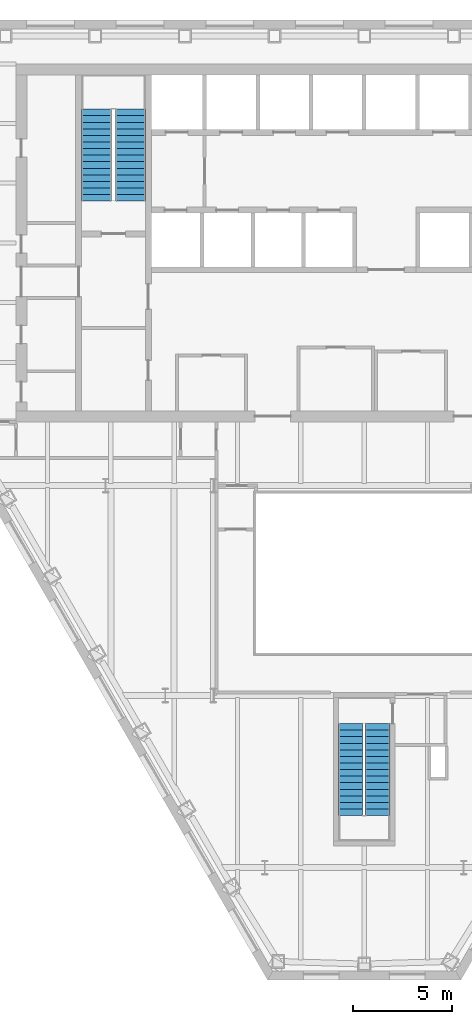
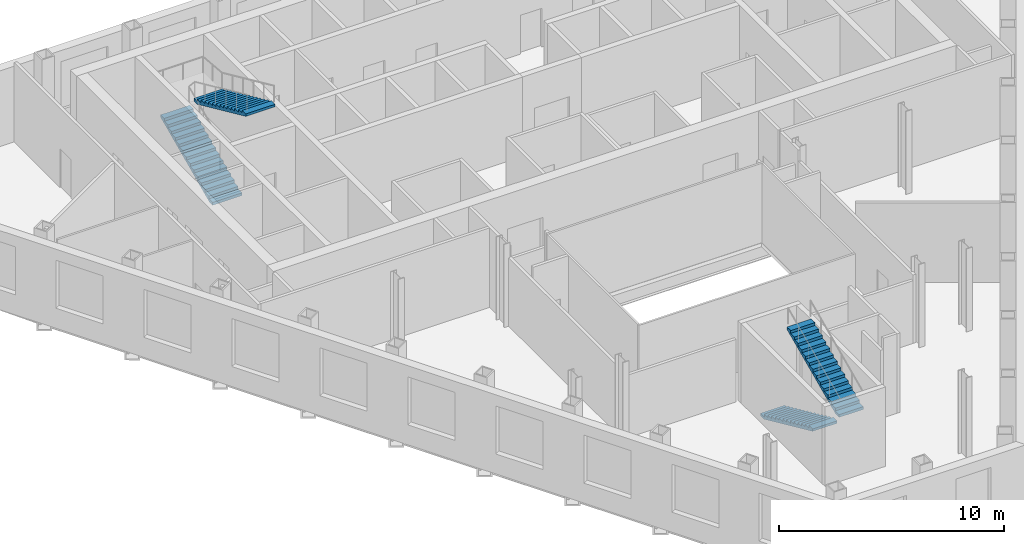
# One storey, part 10 of 12: 4 stair flights, 2 elements without a shape of their own.
"""IFC4 building model written with IfcOpenShell, lengths in metres."""

from ifc_helpers import new_model, si_unit, direction, frame, origin, place, context, subcontext, project, spatial, polygons, material, type_object, element, aggregate, save


model = new_model("IFC4")

# Units and contexts
model_context = context("Model", 3, precision=1e-05, world=origin(), true_north=direction((0.0, 1.0)))
body_context = subcontext(model_context, "Body", "Model", "MODEL_VIEW")
ifc_project = project(units=[si_unit("LENGTHUNIT", "METRE"), si_unit("AREAUNIT", "SQUARE_METRE"), si_unit("VOLUMEUNIT", "CUBIC_METRE"), si_unit("PLANEANGLEUNIT", "RADIAN"), si_unit("MASSUNIT", "GRAM", prefix="KILO")], contexts=[model_context])

# Site, building, storey
site_placement = place(None, origin())
site = spatial("IfcSite", under=ifc_project, at=site_placement, CompositionType="ELEMENT")
building_placement = place(site_placement, origin())
building = spatial("IfcBuilding", under=site, at=building_placement, Name="Njiva Tower", CompositionType="ELEMENT")
storey_placement = place(building_placement, frame((0.0, 0.0, 111.3)))
storey = spatial("IfcBuildingStorey", under=building, at=storey_placement, Name="L23", CompositionType="ELEMENT", Elevation=111.3)

# Stair, stair flights
ifc_material = material(Name="Concrete C40/50", Category="concrete")
stair_type_1 = type_object("IfcStairType", Name="ST1 Exit stair 1250", PredefinedType="HALF_TURN_STAIR", material=ifc_material)
stair_1_placement = place(storey_placement, origin())
stair_1 = element("IfcStair", 1, at=stair_1_placement, inside=storey, type_object=stair_type_1, Name="Stair C", PredefinedType="HALF_TURN_STAIR")
stair_flight_type_1 = type_object("IfcStairFlightType", Name="FL1 Stair flight 1250", PredefinedType="STRAIGHT", material=ifc_material)
stair_flight_1_placement = place(storey_placement, frame((-0.675, -15.16, 0.0), z_axis=(0.0, 0.0, 1.0), x_axis=(0.0, -1.0, 0.0)))
stair_flight_1 = element("IfcStairFlight", 2, at=stair_flight_1_placement, type_object=stair_flight_type_1, Name="ST-C flight 1", NumberOfRisers=15, NumberOfTreads=14, PredefinedType="STRAIGHT", RiserHeight=0.15, TreadLength=0.33, context=body_context, shape_type="Tessellation", body=[
    polygons([(0.0, 0.625, 0.0), (0.0, 0.3125, 0.0), (0.0, 0.0, 0.0), (0.0, -0.3125, 0.0), (0.0, -0.625, 0.0), (0.0, 0.625, 0.15), (0.0, 0.3125, 0.15), (0.0, 0.0, 0.15), (0.0, -0.3125, 0.15), (0.0, -0.625, 0.15), (0.33, 0.625, 0.15), (0.33, 0.3125, 0.15), (0.33, 0.0, 0.15), (0.33, -0.3125, 0.15), (0.33, -0.625, 0.15), (0.33, 0.625, 0.3), (0.33, 0.3125, 0.3), (0.33, 0.0, 0.3), (0.33, -0.3125, 0.3), (0.33, -0.625, 0.3), (0.66, 0.625, 0.3), (0.66, 0.3125, 0.3), (0.66, 0.0, 0.3), (0.66, -0.3125, 0.3), (0.66, -0.625, 0.3), (0.66, 0.625, 0.45), (0.66, 0.3125, 0.45), (0.66, 0.0, 0.45), (0.66, -0.3125, 0.45), (0.66, -0.625, 0.45), (0.99, 0.625, 0.45), (0.99, 0.3125, 0.45), (0.99, 0.0, 0.45), (0.99, -0.3125, 0.45), (0.99, -0.625, 0.45), (0.99, 0.625, 0.6), (0.99, 0.3125, 0.6), (0.99, 0.0, 0.6), (0.99, -0.3125, 0.6), (0.99, -0.625, 0.6), (1.32, 0.625, 0.6), (1.32, 0.3125, 0.6), (1.32, 0.0, 0.6), (1.32, -0.3125, 0.6), (1.32, -0.625, 0.6), (1.32, 0.625, 0.75), (1.32, 0.3125, 0.75), (1.32, 0.0, 0.75), (1.32, -0.3125, 0.75), (1.32, -0.625, 0.75), (1.65, 0.625, 0.75), (1.65, 0.3125, 0.75), (1.65, 0.0, 0.75), (1.65, -0.3125, 0.75), (1.65, -0.625, 0.75), (1.65, 0.625, 0.9), (1.65, 0.3125, 0.9), (1.65, 0.0, 0.9), (1.65, -0.3125, 0.9), (1.65, -0.625, 0.9), (1.98, 0.625, 0.9), (1.98, 0.3125, 0.9), (1.98, 0.0, 0.9), (1.98, -0.3125, 0.9), (1.98, -0.625, 0.9), (1.98, 0.625, 1.05), (1.98, 0.3125, 1.05), (1.98, 0.0, 1.05), (1.98, -0.3125, 1.05), (1.98, -0.625, 1.05), (2.31, 0.625, 1.05), (2.31, 0.3125, 1.05), (2.31, 0.0, 1.05), (2.31, -0.3125, 1.05), (2.31, -0.625, 1.05), (2.31, 0.625, 1.2), (2.31, 0.3125, 1.2), (2.31, 0.0, 1.2), (2.31, -0.3125, 1.2), (2.31, -0.625, 1.2), (2.64, 0.625, 1.2), (2.64, 0.3125, 1.2), (2.64, 0.0, 1.2), (2.64, -0.3125, 1.2), (2.64, -0.625, 1.2), (2.64, 0.625, 1.35), (2.64, 0.3125, 1.35), (2.64, 0.0, 1.35), (2.64, -0.3125, 1.35), (2.64, -0.625, 1.35), (2.97, 0.625, 1.35), (2.97, 0.3125, 1.35), (2.97, 0.0, 1.35), (2.97, -0.3125, 1.35), (2.97, -0.625, 1.35), (2.97, 0.625, 1.5), (2.97, 0.3125, 1.5), (2.97, 0.0, 1.5), (2.97, -0.3125, 1.5), (2.97, -0.625, 1.5), (3.3, 0.625, 1.5), (3.3, 0.3125, 1.5), (3.3, 0.0, 1.5), (3.3, -0.3125, 1.5), (3.3, -0.625, 1.5), (3.3, 0.625, 1.65), (3.3, 0.3125, 1.65), (3.3, 0.0, 1.65), (3.3, -0.3125, 1.65), (3.3, -0.625, 1.65), (3.63, 0.625, 1.65), (3.63, 0.3125, 1.65), (3.63, 0.0, 1.65), (3.63, -0.3125, 1.65), (3.63, -0.625, 1.65), (3.63, 0.625, 1.8), (3.63, 0.3125, 1.8), (3.63, 0.0, 1.8), (3.63, -0.3125, 1.8), (3.63, -0.625, 1.8), (3.96, 0.625, 1.8), (3.96, 0.3125, 1.8), (3.96, 0.0, 1.8), (3.96, -0.3125, 1.8), (3.96, -0.625, 1.8), (3.96, 0.625, 1.95), (3.96, 0.3125, 1.95), (3.96, 0.0, 1.95), (3.96, -0.3125, 1.95), (3.96, -0.625, 1.95), (4.29, 0.625, 1.95), (4.29, 0.3125, 1.95), (4.29, 0.0, 1.95), (4.29, -0.3125, 1.95), (4.29, -0.625, 1.95), (4.29, 0.625, 2.1), (4.29, 0.3125, 2.1), (4.29, 0.0, 2.1), (4.29, -0.3125, 2.1), (4.29, -0.625, 2.1), (4.62, 0.625, 2.1), (4.62, 0.3125, 2.1), (4.62, 0.0, 2.1), (4.62, -0.3125, 2.1), (4.62, -0.625, 2.1), (4.62, 0.625, 1.9682), (4.62, 0.3125, 1.9682), (4.62, 0.0, 1.9682), (4.62, -0.3125, 1.9682), (4.62, -0.625, 1.9682), (0.29, 0.625, 0.0), (0.29, 0.3125, 0.0), (0.29, 0.0, 0.0), (0.29, -0.3125, 0.0), (0.29, -0.625, 0.0)], [[[1, 6, 11, 16, 21, 26, 31, 36, 41, 46, 51, 56, 61, 66, 71, 76, 81, 86, 91, 96, 101, 106, 111, 116, 121, 126, 131, 136, 141, 146, 151]], [[155, 150, 145, 140, 135, 130, 125, 120, 115, 110, 105, 100, 95, 90, 85, 80, 75, 70, 65, 60, 55, 50, 45, 40, 35, 30, 25, 20, 15, 10, 5]], [[6, 1, 2, 7]], [[7, 2, 3, 8]], [[8, 3, 4, 9]], [[9, 4, 5, 10]], [[11, 6, 7, 12]], [[12, 7, 8, 13]], [[13, 8, 9, 14]], [[14, 9, 10, 15]], [[16, 11, 12, 17]], [[17, 12, 13, 18]], [[18, 13, 14, 19]], [[19, 14, 15, 20]], [[21, 16, 17, 22]], [[22, 17, 18, 23]], [[23, 18, 19, 24]], [[24, 19, 20, 25]], [[26, 21, 22, 27]], [[27, 22, 23, 28]], [[28, 23, 24, 29]], [[29, 24, 25, 30]], [[31, 26, 27, 32]], [[32, 27, 28, 33]], [[33, 28, 29, 34]], [[34, 29, 30, 35]], [[36, 31, 32, 37]], [[37, 32, 33, 38]], [[38, 33, 34, 39]], [[39, 34, 35, 40]], [[41, 36, 37, 42]], [[42, 37, 38, 43]], [[43, 38, 39, 44]], [[44, 39, 40, 45]], [[46, 41, 42, 47]], [[47, 42, 43, 48]], [[48, 43, 44, 49]], [[49, 44, 45, 50]], [[51, 46, 47, 52]], [[52, 47, 48, 53]], [[53, 48, 49, 54]], [[54, 49, 50, 55]], [[56, 51, 52, 57]], [[57, 52, 53, 58]], [[58, 53, 54, 59]], [[59, 54, 55, 60]], [[61, 56, 57, 62]], [[62, 57, 58, 63]], [[63, 58, 59, 64]], [[64, 59, 60, 65]], [[66, 61, 62, 67]], [[67, 62, 63, 68]], [[68, 63, 64, 69]], [[69, 64, 65, 70]], [[71, 66, 67, 72]], [[72, 67, 68, 73]], [[73, 68, 69, 74]], [[74, 69, 70, 75]], [[76, 71, 72, 77]], [[77, 72, 73, 78]], [[78, 73, 74, 79]], [[79, 74, 75, 80]], [[81, 76, 77, 82]], [[82, 77, 78, 83]], [[83, 78, 79, 84]], [[84, 79, 80, 85]], [[86, 81, 82, 87]], [[87, 82, 83, 88]], [[88, 83, 84, 89]], [[89, 84, 85, 90]], [[91, 86, 87, 92]], [[92, 87, 88, 93]], [[93, 88, 89, 94]], [[94, 89, 90, 95]], [[96, 91, 92, 97]], [[97, 92, 93, 98]], [[98, 93, 94, 99]], [[99, 94, 95, 100]], [[101, 96, 97, 102]], [[102, 97, 98, 103]], [[103, 98, 99, 104]], [[104, 99, 100, 105]], [[106, 101, 102, 107]], [[107, 102, 103, 108]], [[108, 103, 104, 109]], [[109, 104, 105, 110]], [[111, 106, 107, 112]], [[112, 107, 108, 113]], [[113, 108, 109, 114]], [[114, 109, 110, 115]], [[116, 111, 112, 117]], [[117, 112, 113, 118]], [[118, 113, 114, 119]], [[119, 114, 115, 120]], [[121, 116, 117, 122]], [[122, 117, 118, 123]], [[123, 118, 119, 124]], [[124, 119, 120, 125]], [[126, 121, 122, 127]], [[127, 122, 123, 128]], [[128, 123, 124, 129]], [[129, 124, 125, 130]], [[131, 126, 127, 132]], [[132, 127, 128, 133]], [[133, 128, 129, 134]], [[134, 129, 130, 135]], [[136, 131, 132, 137]], [[137, 132, 133, 138]], [[138, 133, 134, 139]], [[139, 134, 135, 140]], [[141, 136, 137, 142]], [[142, 137, 138, 143]], [[143, 138, 139, 144]], [[144, 139, 140, 145]], [[146, 141, 142, 147]], [[147, 142, 143, 148]], [[148, 143, 144, 149]], [[149, 144, 145, 150]], [[151, 146, 147, 152]], [[152, 147, 148, 153]], [[153, 148, 149, 154]], [[154, 149, 150, 155]], [[1, 151, 152, 2]], [[2, 152, 153, 3]], [[3, 153, 154, 4]], [[4, 154, 155, 5]]], closed=True),
])
stair_flight_2_placement = place(storey_placement, frame((0.675, -19.78, 2.25), z_axis=(0.0, 0.0, 1.0), x_axis=(0.0, 1.0, 0.0)))
stair_flight_2 = element("IfcStairFlight", 3, at=stair_flight_2_placement, type_object=stair_flight_type_1, Name="ST-C flight 2", NumberOfRisers=15, NumberOfTreads=14, PredefinedType="STRAIGHT", RiserHeight=0.15, TreadLength=0.33, context=body_context, shape_type="Tessellation", body=[
    polygons([(0.0, 0.625, 0.0), (0.0, 0.3125, 0.0), (0.0, 0.0, 0.0), (0.0, -0.3125, 0.0), (0.0, -0.625, 0.0), (0.0, 0.625, 0.15), (0.0, 0.3125, 0.15), (0.0, 0.0, 0.15), (0.0, -0.3125, 0.15), (0.0, -0.625, 0.15), (0.33, 0.625, 0.15), (0.33, 0.3125, 0.15), (0.33, 0.0, 0.15), (0.33, -0.3125, 0.15), (0.33, -0.625, 0.15), (0.33, 0.625, 0.3), (0.33, 0.3125, 0.3), (0.33, 0.0, 0.3), (0.33, -0.3125, 0.3), (0.33, -0.625, 0.3), (0.66, 0.625, 0.3), (0.66, 0.3125, 0.3), (0.66, 0.0, 0.3), (0.66, -0.3125, 0.3), (0.66, -0.625, 0.3), (0.66, 0.625, 0.45), (0.66, 0.3125, 0.45), (0.66, 0.0, 0.45), (0.66, -0.3125, 0.45), (0.66, -0.625, 0.45), (0.99, 0.625, 0.45), (0.99, 0.3125, 0.45), (0.99, 0.0, 0.45), (0.99, -0.3125, 0.45), (0.99, -0.625, 0.45), (0.99, 0.625, 0.6), (0.99, 0.3125, 0.6), (0.99, 0.0, 0.6), (0.99, -0.3125, 0.6), (0.99, -0.625, 0.6), (1.32, 0.625, 0.6), (1.32, 0.3125, 0.6), (1.32, 0.0, 0.6), (1.32, -0.3125, 0.6), (1.32, -0.625, 0.6), (1.32, 0.625, 0.75), (1.32, 0.3125, 0.75), (1.32, 0.0, 0.75), (1.32, -0.3125, 0.75), (1.32, -0.625, 0.75), (1.65, 0.625, 0.75), (1.65, 0.3125, 0.75), (1.65, 0.0, 0.75), (1.65, -0.3125, 0.75), (1.65, -0.625, 0.75), (1.65, 0.625, 0.9), (1.65, 0.3125, 0.9), (1.65, 0.0, 0.9), (1.65, -0.3125, 0.9), (1.65, -0.625, 0.9), (1.98, 0.625, 0.9), (1.98, 0.3125, 0.9), (1.98, 0.0, 0.9), (1.98, -0.3125, 0.9), (1.98, -0.625, 0.9), (1.98, 0.625, 1.05), (1.98, 0.3125, 1.05), (1.98, 0.0, 1.05), (1.98, -0.3125, 1.05), (1.98, -0.625, 1.05), (2.31, 0.625, 1.05), (2.31, 0.3125, 1.05), (2.31, 0.0, 1.05), (2.31, -0.3125, 1.05), (2.31, -0.625, 1.05), (2.31, 0.625, 1.2), (2.31, 0.3125, 1.2), (2.31, 0.0, 1.2), (2.31, -0.3125, 1.2), (2.31, -0.625, 1.2), (2.64, 0.625, 1.2), (2.64, 0.3125, 1.2), (2.64, 0.0, 1.2), (2.64, -0.3125, 1.2), (2.64, -0.625, 1.2), (2.64, 0.625, 1.35), (2.64, 0.3125, 1.35), (2.64, 0.0, 1.35), (2.64, -0.3125, 1.35), (2.64, -0.625, 1.35), (2.97, 0.625, 1.35), (2.97, 0.3125, 1.35), (2.97, 0.0, 1.35), (2.97, -0.3125, 1.35), (2.97, -0.625, 1.35), (2.97, 0.625, 1.5), (2.97, 0.3125, 1.5), (2.97, 0.0, 1.5), (2.97, -0.3125, 1.5), (2.97, -0.625, 1.5), (3.3, 0.625, 1.5), (3.3, 0.3125, 1.5), (3.3, 0.0, 1.5), (3.3, -0.3125, 1.5), (3.3, -0.625, 1.5), (3.3, 0.625, 1.65), (3.3, 0.3125, 1.65), (3.3, 0.0, 1.65), (3.3, -0.3125, 1.65), (3.3, -0.625, 1.65), (3.63, 0.625, 1.65), (3.63, 0.3125, 1.65), (3.63, 0.0, 1.65), (3.63, -0.3125, 1.65), (3.63, -0.625, 1.65), (3.63, 0.625, 1.8), (3.63, 0.3125, 1.8), (3.63, 0.0, 1.8), (3.63, -0.3125, 1.8), (3.63, -0.625, 1.8), (3.96, 0.625, 1.8), (3.96, 0.3125, 1.8), (3.96, 0.0, 1.8), (3.96, -0.3125, 1.8), (3.96, -0.625, 1.8), (3.96, 0.625, 1.95), (3.96, 0.3125, 1.95), (3.96, 0.0, 1.95), (3.96, -0.3125, 1.95), (3.96, -0.625, 1.95), (4.29, 0.625, 1.95), (4.29, 0.3125, 1.95), (4.29, 0.0, 1.95), (4.29, -0.3125, 1.95), (4.29, -0.625, 1.95), (4.29, 0.625, 2.1), (4.29, 0.3125, 2.1), (4.29, 0.0, 2.1), (4.29, -0.3125, 2.1), (4.29, -0.625, 2.1), (4.62, 0.625, 2.1), (4.62, 0.3125, 2.1), (4.62, 0.0, 2.1), (4.62, -0.3125, 2.1), (4.62, -0.625, 2.1), (4.62, 0.625, 1.9682), (4.62, 0.3125, 1.9682), (4.62, 0.0, 1.9682), (4.62, -0.3125, 1.9682), (4.62, -0.625, 1.9682), (0.29, 0.625, 0.0), (0.29, 0.3125, 0.0), (0.29, 0.0, 0.0), (0.29, -0.3125, 0.0), (0.29, -0.625, 0.0)], [[[1, 6, 11, 16, 21, 26, 31, 36, 41, 46, 51, 56, 61, 66, 71, 76, 81, 86, 91, 96, 101, 106, 111, 116, 121, 126, 131, 136, 141, 146, 151]], [[155, 150, 145, 140, 135, 130, 125, 120, 115, 110, 105, 100, 95, 90, 85, 80, 75, 70, 65, 60, 55, 50, 45, 40, 35, 30, 25, 20, 15, 10, 5]], [[6, 1, 2, 7]], [[7, 2, 3, 8]], [[8, 3, 4, 9]], [[9, 4, 5, 10]], [[11, 6, 7, 12]], [[12, 7, 8, 13]], [[13, 8, 9, 14]], [[14, 9, 10, 15]], [[16, 11, 12, 17]], [[17, 12, 13, 18]], [[18, 13, 14, 19]], [[19, 14, 15, 20]], [[21, 16, 17, 22]], [[22, 17, 18, 23]], [[23, 18, 19, 24]], [[24, 19, 20, 25]], [[26, 21, 22, 27]], [[27, 22, 23, 28]], [[28, 23, 24, 29]], [[29, 24, 25, 30]], [[31, 26, 27, 32]], [[32, 27, 28, 33]], [[33, 28, 29, 34]], [[34, 29, 30, 35]], [[36, 31, 32, 37]], [[37, 32, 33, 38]], [[38, 33, 34, 39]], [[39, 34, 35, 40]], [[41, 36, 37, 42]], [[42, 37, 38, 43]], [[43, 38, 39, 44]], [[44, 39, 40, 45]], [[46, 41, 42, 47]], [[47, 42, 43, 48]], [[48, 43, 44, 49]], [[49, 44, 45, 50]], [[51, 46, 47, 52]], [[52, 47, 48, 53]], [[53, 48, 49, 54]], [[54, 49, 50, 55]], [[56, 51, 52, 57]], [[57, 52, 53, 58]], [[58, 53, 54, 59]], [[59, 54, 55, 60]], [[61, 56, 57, 62]], [[62, 57, 58, 63]], [[63, 58, 59, 64]], [[64, 59, 60, 65]], [[66, 61, 62, 67]], [[67, 62, 63, 68]], [[68, 63, 64, 69]], [[69, 64, 65, 70]], [[71, 66, 67, 72]], [[72, 67, 68, 73]], [[73, 68, 69, 74]], [[74, 69, 70, 75]], [[76, 71, 72, 77]], [[77, 72, 73, 78]], [[78, 73, 74, 79]], [[79, 74, 75, 80]], [[81, 76, 77, 82]], [[82, 77, 78, 83]], [[83, 78, 79, 84]], [[84, 79, 80, 85]], [[86, 81, 82, 87]], [[87, 82, 83, 88]], [[88, 83, 84, 89]], [[89, 84, 85, 90]], [[91, 86, 87, 92]], [[92, 87, 88, 93]], [[93, 88, 89, 94]], [[94, 89, 90, 95]], [[96, 91, 92, 97]], [[97, 92, 93, 98]], [[98, 93, 94, 99]], [[99, 94, 95, 100]], [[101, 96, 97, 102]], [[102, 97, 98, 103]], [[103, 98, 99, 104]], [[104, 99, 100, 105]], [[106, 101, 102, 107]], [[107, 102, 103, 108]], [[108, 103, 104, 109]], [[109, 104, 105, 110]], [[111, 106, 107, 112]], [[112, 107, 108, 113]], [[113, 108, 109, 114]], [[114, 109, 110, 115]], [[116, 111, 112, 117]], [[117, 112, 113, 118]], [[118, 113, 114, 119]], [[119, 114, 115, 120]], [[121, 116, 117, 122]], [[122, 117, 118, 123]], [[123, 118, 119, 124]], [[124, 119, 120, 125]], [[126, 121, 122, 127]], [[127, 122, 123, 128]], [[128, 123, 124, 129]], [[129, 124, 125, 130]], [[131, 126, 127, 132]], [[132, 127, 128, 133]], [[133, 128, 129, 134]], [[134, 129, 130, 135]], [[136, 131, 132, 137]], [[137, 132, 133, 138]], [[138, 133, 134, 139]], [[139, 134, 135, 140]], [[141, 136, 137, 142]], [[142, 137, 138, 143]], [[143, 138, 139, 144]], [[144, 139, 140, 145]], [[146, 141, 142, 147]], [[147, 142, 143, 148]], [[148, 143, 144, 149]], [[149, 144, 145, 150]], [[151, 146, 147, 152]], [[152, 147, 148, 153]], [[153, 148, 149, 154]], [[154, 149, 150, 155]], [[1, 151, 152, 2]], [[2, 152, 153, 3]], [[3, 153, 154, 4]], [[4, 154, 155, 5]]], closed=True),
])
aggregate(stair_1, [stair_flight_1, stair_flight_2])

stair_type_2 = type_object("IfcStairType", Name="ST4 Exit stair 1500", PredefinedType="HALF_TURN_STAIR", material=ifc_material)
stair_2_placement = place(storey_placement, origin())
stair_2 = element("IfcStair", 4, at=stair_2_placement, inside=storey, type_object=stair_type_2, Name="Stair A", PredefinedType="HALF_TURN_STAIR")
stair_flight_type_2 = type_object("IfcStairFlightType", Name="FL4 Stair flight 1500", PredefinedType="STRAIGHT", material=ifc_material)
stair_flight_3_placement = place(storey_placement, frame((-13.45, 11.1, 0.0), z_axis=(0.0, 0.0, 1.0), x_axis=(0.0, 1.0, 0.0)))
stair_flight_3 = element("IfcStairFlight", 5, at=stair_flight_3_placement, type_object=stair_flight_type_2, Name="ST-A flight 1", NumberOfRisers=15, NumberOfTreads=14, PredefinedType="STRAIGHT", RiserHeight=0.15, TreadLength=0.33, context=body_context, shape_type="Tessellation", body=[
    polygons([(0.0, 0.75, 0.0), (0.0, 0.375, 0.0), (0.0, 0.0, 0.0), (0.0, -0.375, 0.0), (0.0, -0.75, 0.0), (0.0, 0.75, 0.15), (0.0, 0.375, 0.15), (0.0, 0.0, 0.15), (0.0, -0.375, 0.15), (0.0, -0.75, 0.15), (0.33, 0.75, 0.15), (0.33, 0.375, 0.15), (0.33, 0.0, 0.15), (0.33, -0.375, 0.15), (0.33, -0.75, 0.15), (0.33, 0.75, 0.3), (0.33, 0.375, 0.3), (0.33, 0.0, 0.3), (0.33, -0.375, 0.3), (0.33, -0.75, 0.3), (0.66, 0.75, 0.3), (0.66, 0.375, 0.3), (0.66, 0.0, 0.3), (0.66, -0.375, 0.3), (0.66, -0.75, 0.3), (0.66, 0.75, 0.45), (0.66, 0.375, 0.45), (0.66, 0.0, 0.45), (0.66, -0.375, 0.45), (0.66, -0.75, 0.45), (0.99, 0.75, 0.45), (0.99, 0.375, 0.45), (0.99, 0.0, 0.45), (0.99, -0.375, 0.45), (0.99, -0.75, 0.45), (0.99, 0.75, 0.6), (0.99, 0.375, 0.6), (0.99, 0.0, 0.6), (0.99, -0.375, 0.6), (0.99, -0.75, 0.6), (1.32, 0.75, 0.6), (1.32, 0.375, 0.6), (1.32, 0.0, 0.6), (1.32, -0.375, 0.6), (1.32, -0.75, 0.6), (1.32, 0.75, 0.75), (1.32, 0.375, 0.75), (1.32, 0.0, 0.75), (1.32, -0.375, 0.75), (1.32, -0.75, 0.75), (1.65, 0.75, 0.75), (1.65, 0.375, 0.75), (1.65, 0.0, 0.75), (1.65, -0.375, 0.75), (1.65, -0.75, 0.75), (1.65, 0.75, 0.9), (1.65, 0.375, 0.9), (1.65, 0.0, 0.9), (1.65, -0.375, 0.9), (1.65, -0.75, 0.9), (1.98, 0.75, 0.9), (1.98, 0.375, 0.9), (1.98, 0.0, 0.9), (1.98, -0.375, 0.9), (1.98, -0.75, 0.9), (1.98, 0.75, 1.05), (1.98, 0.375, 1.05), (1.98, 0.0, 1.05), (1.98, -0.375, 1.05), (1.98, -0.75, 1.05), (2.31, 0.75, 1.05), (2.31, 0.375, 1.05), (2.31, 0.0, 1.05), (2.31, -0.375, 1.05), (2.31, -0.75, 1.05), (2.31, 0.75, 1.2), (2.31, 0.375, 1.2), (2.31, 0.0, 1.2), (2.31, -0.375, 1.2), (2.31, -0.75, 1.2), (2.64, 0.75, 1.2), (2.64, 0.375, 1.2), (2.64, 0.0, 1.2), (2.64, -0.375, 1.2), (2.64, -0.75, 1.2), (2.64, 0.75, 1.35), (2.64, 0.375, 1.35), (2.64, 0.0, 1.35), (2.64, -0.375, 1.35), (2.64, -0.75, 1.35), (2.97, 0.75, 1.35), (2.97, 0.375, 1.35), (2.97, 0.0, 1.35), (2.97, -0.375, 1.35), (2.97, -0.75, 1.35), (2.97, 0.75, 1.5), (2.97, 0.375, 1.5), (2.97, 0.0, 1.5), (2.97, -0.375, 1.5), (2.97, -0.75, 1.5), (3.3, 0.75, 1.5), (3.3, 0.375, 1.5), (3.3, 0.0, 1.5), (3.3, -0.375, 1.5), (3.3, -0.75, 1.5), (3.3, 0.75, 1.65), (3.3, 0.375, 1.65), (3.3, 0.0, 1.65), (3.3, -0.375, 1.65), (3.3, -0.75, 1.65), (3.63, 0.75, 1.65), (3.63, 0.375, 1.65), (3.63, 0.0, 1.65), (3.63, -0.375, 1.65), (3.63, -0.75, 1.65), (3.63, 0.75, 1.8), (3.63, 0.375, 1.8), (3.63, 0.0, 1.8), (3.63, -0.375, 1.8), (3.63, -0.75, 1.8), (3.96, 0.75, 1.8), (3.96, 0.375, 1.8), (3.96, 0.0, 1.8), (3.96, -0.375, 1.8), (3.96, -0.75, 1.8), (3.96, 0.75, 1.95), (3.96, 0.375, 1.95), (3.96, 0.0, 1.95), (3.96, -0.375, 1.95), (3.96, -0.75, 1.95), (4.29, 0.75, 1.95), (4.29, 0.375, 1.95), (4.29, 0.0, 1.95), (4.29, -0.375, 1.95), (4.29, -0.75, 1.95), (4.29, 0.75, 2.1), (4.29, 0.375, 2.1), (4.29, 0.0, 2.1), (4.29, -0.375, 2.1), (4.29, -0.75, 2.1), (4.62, 0.75, 2.1), (4.62, 0.375, 2.1), (4.62, 0.0, 2.1), (4.62, -0.375, 2.1), (4.62, -0.75, 2.1), (4.62, 0.75, 1.9682), (4.62, 0.375, 1.9682), (4.62, 0.0, 1.9682), (4.62, -0.375, 1.9682), (4.62, -0.75, 1.9682), (0.29, 0.75, 0.0), (0.29, 0.375, 0.0), (0.29, 0.0, 0.0), (0.29, -0.375, 0.0), (0.29, -0.75, 0.0)], [[[1, 6, 11, 16, 21, 26, 31, 36, 41, 46, 51, 56, 61, 66, 71, 76, 81, 86, 91, 96, 101, 106, 111, 116, 121, 126, 131, 136, 141, 146, 151]], [[155, 150, 145, 140, 135, 130, 125, 120, 115, 110, 105, 100, 95, 90, 85, 80, 75, 70, 65, 60, 55, 50, 45, 40, 35, 30, 25, 20, 15, 10, 5]], [[6, 1, 2, 7]], [[7, 2, 3, 8]], [[8, 3, 4, 9]], [[9, 4, 5, 10]], [[11, 6, 7, 12]], [[12, 7, 8, 13]], [[13, 8, 9, 14]], [[14, 9, 10, 15]], [[16, 11, 12, 17]], [[17, 12, 13, 18]], [[18, 13, 14, 19]], [[19, 14, 15, 20]], [[21, 16, 17, 22]], [[22, 17, 18, 23]], [[23, 18, 19, 24]], [[24, 19, 20, 25]], [[26, 21, 22, 27]], [[27, 22, 23, 28]], [[28, 23, 24, 29]], [[29, 24, 25, 30]], [[31, 26, 27, 32]], [[32, 27, 28, 33]], [[33, 28, 29, 34]], [[34, 29, 30, 35]], [[36, 31, 32, 37]], [[37, 32, 33, 38]], [[38, 33, 34, 39]], [[39, 34, 35, 40]], [[41, 36, 37, 42]], [[42, 37, 38, 43]], [[43, 38, 39, 44]], [[44, 39, 40, 45]], [[46, 41, 42, 47]], [[47, 42, 43, 48]], [[48, 43, 44, 49]], [[49, 44, 45, 50]], [[51, 46, 47, 52]], [[52, 47, 48, 53]], [[53, 48, 49, 54]], [[54, 49, 50, 55]], [[56, 51, 52, 57]], [[57, 52, 53, 58]], [[58, 53, 54, 59]], [[59, 54, 55, 60]], [[61, 56, 57, 62]], [[62, 57, 58, 63]], [[63, 58, 59, 64]], [[64, 59, 60, 65]], [[66, 61, 62, 67]], [[67, 62, 63, 68]], [[68, 63, 64, 69]], [[69, 64, 65, 70]], [[71, 66, 67, 72]], [[72, 67, 68, 73]], [[73, 68, 69, 74]], [[74, 69, 70, 75]], [[76, 71, 72, 77]], [[77, 72, 73, 78]], [[78, 73, 74, 79]], [[79, 74, 75, 80]], [[81, 76, 77, 82]], [[82, 77, 78, 83]], [[83, 78, 79, 84]], [[84, 79, 80, 85]], [[86, 81, 82, 87]], [[87, 82, 83, 88]], [[88, 83, 84, 89]], [[89, 84, 85, 90]], [[91, 86, 87, 92]], [[92, 87, 88, 93]], [[93, 88, 89, 94]], [[94, 89, 90, 95]], [[96, 91, 92, 97]], [[97, 92, 93, 98]], [[98, 93, 94, 99]], [[99, 94, 95, 100]], [[101, 96, 97, 102]], [[102, 97, 98, 103]], [[103, 98, 99, 104]], [[104, 99, 100, 105]], [[106, 101, 102, 107]], [[107, 102, 103, 108]], [[108, 103, 104, 109]], [[109, 104, 105, 110]], [[111, 106, 107, 112]], [[112, 107, 108, 113]], [[113, 108, 109, 114]], [[114, 109, 110, 115]], [[116, 111, 112, 117]], [[117, 112, 113, 118]], [[118, 113, 114, 119]], [[119, 114, 115, 120]], [[121, 116, 117, 122]], [[122, 117, 118, 123]], [[123, 118, 119, 124]], [[124, 119, 120, 125]], [[126, 121, 122, 127]], [[127, 122, 123, 128]], [[128, 123, 124, 129]], [[129, 124, 125, 130]], [[131, 126, 127, 132]], [[132, 127, 128, 133]], [[133, 128, 129, 134]], [[134, 129, 130, 135]], [[136, 131, 132, 137]], [[137, 132, 133, 138]], [[138, 133, 134, 139]], [[139, 134, 135, 140]], [[141, 136, 137, 142]], [[142, 137, 138, 143]], [[143, 138, 139, 144]], [[144, 139, 140, 145]], [[146, 141, 142, 147]], [[147, 142, 143, 148]], [[148, 143, 144, 149]], [[149, 144, 145, 150]], [[151, 146, 147, 152]], [[152, 147, 148, 153]], [[153, 148, 149, 154]], [[154, 149, 150, 155]], [[1, 151, 152, 2]], [[2, 152, 153, 3]], [[3, 153, 154, 4]], [[4, 154, 155, 5]]], closed=True),
])
stair_flight_4_placement = place(storey_placement, frame((-11.75, 15.72, 2.25), z_axis=(0.0, 0.0, 1.0), x_axis=(0.0, -1.0, 0.0)))
stair_flight_4 = element("IfcStairFlight", 6, at=stair_flight_4_placement, type_object=stair_flight_type_2, Name="ST-A flight 2", NumberOfRisers=15, NumberOfTreads=14, PredefinedType="STRAIGHT", RiserHeight=0.15, TreadLength=0.33, context=body_context, shape_type="Tessellation", body=[
    polygons([(0.0, 0.75, 0.0), (0.0, 0.375, 0.0), (0.0, 0.0, 0.0), (0.0, -0.375, 0.0), (0.0, -0.75, 0.0), (0.0, 0.75, 0.15), (0.0, 0.375, 0.15), (0.0, 0.0, 0.15), (0.0, -0.375, 0.15), (0.0, -0.75, 0.15), (0.33, 0.75, 0.15), (0.33, 0.375, 0.15), (0.33, 0.0, 0.15), (0.33, -0.375, 0.15), (0.33, -0.75, 0.15), (0.33, 0.75, 0.3), (0.33, 0.375, 0.3), (0.33, 0.0, 0.3), (0.33, -0.375, 0.3), (0.33, -0.75, 0.3), (0.66, 0.75, 0.3), (0.66, 0.375, 0.3), (0.66, 0.0, 0.3), (0.66, -0.375, 0.3), (0.66, -0.75, 0.3), (0.66, 0.75, 0.45), (0.66, 0.375, 0.45), (0.66, 0.0, 0.45), (0.66, -0.375, 0.45), (0.66, -0.75, 0.45), (0.99, 0.75, 0.45), (0.99, 0.375, 0.45), (0.99, 0.0, 0.45), (0.99, -0.375, 0.45), (0.99, -0.75, 0.45), (0.99, 0.75, 0.6), (0.99, 0.375, 0.6), (0.99, 0.0, 0.6), (0.99, -0.375, 0.6), (0.99, -0.75, 0.6), (1.32, 0.75, 0.6), (1.32, 0.375, 0.6), (1.32, 0.0, 0.6), (1.32, -0.375, 0.6), (1.32, -0.75, 0.6), (1.32, 0.75, 0.75), (1.32, 0.375, 0.75), (1.32, 0.0, 0.75), (1.32, -0.375, 0.75), (1.32, -0.75, 0.75), (1.65, 0.75, 0.75), (1.65, 0.375, 0.75), (1.65, 0.0, 0.75), (1.65, -0.375, 0.75), (1.65, -0.75, 0.75), (1.65, 0.75, 0.9), (1.65, 0.375, 0.9), (1.65, 0.0, 0.9), (1.65, -0.375, 0.9), (1.65, -0.75, 0.9), (1.98, 0.75, 0.9), (1.98, 0.375, 0.9), (1.98, 0.0, 0.9), (1.98, -0.375, 0.9), (1.98, -0.75, 0.9), (1.98, 0.75, 1.05), (1.98, 0.375, 1.05), (1.98, 0.0, 1.05), (1.98, -0.375, 1.05), (1.98, -0.75, 1.05), (2.31, 0.75, 1.05), (2.31, 0.375, 1.05), (2.31, 0.0, 1.05), (2.31, -0.375, 1.05), (2.31, -0.75, 1.05), (2.31, 0.75, 1.2), (2.31, 0.375, 1.2), (2.31, 0.0, 1.2), (2.31, -0.375, 1.2), (2.31, -0.75, 1.2), (2.64, 0.75, 1.2), (2.64, 0.375, 1.2), (2.64, 0.0, 1.2), (2.64, -0.375, 1.2), (2.64, -0.75, 1.2), (2.64, 0.75, 1.35), (2.64, 0.375, 1.35), (2.64, 0.0, 1.35), (2.64, -0.375, 1.35), (2.64, -0.75, 1.35), (2.97, 0.75, 1.35), (2.97, 0.375, 1.35), (2.97, 0.0, 1.35), (2.97, -0.375, 1.35), (2.97, -0.75, 1.35), (2.97, 0.75, 1.5), (2.97, 0.375, 1.5), (2.97, 0.0, 1.5), (2.97, -0.375, 1.5), (2.97, -0.75, 1.5), (3.3, 0.75, 1.5), (3.3, 0.375, 1.5), (3.3, 0.0, 1.5), (3.3, -0.375, 1.5), (3.3, -0.75, 1.5), (3.3, 0.75, 1.65), (3.3, 0.375, 1.65), (3.3, 0.0, 1.65), (3.3, -0.375, 1.65), (3.3, -0.75, 1.65), (3.63, 0.75, 1.65), (3.63, 0.375, 1.65), (3.63, 0.0, 1.65), (3.63, -0.375, 1.65), (3.63, -0.75, 1.65), (3.63, 0.75, 1.8), (3.63, 0.375, 1.8), (3.63, 0.0, 1.8), (3.63, -0.375, 1.8), (3.63, -0.75, 1.8), (3.96, 0.75, 1.8), (3.96, 0.375, 1.8), (3.96, 0.0, 1.8), (3.96, -0.375, 1.8), (3.96, -0.75, 1.8), (3.96, 0.75, 1.95), (3.96, 0.375, 1.95), (3.96, 0.0, 1.95), (3.96, -0.375, 1.95), (3.96, -0.75, 1.95), (4.29, 0.75, 1.95), (4.29, 0.375, 1.95), (4.29, 0.0, 1.95), (4.29, -0.375, 1.95), (4.29, -0.75, 1.95), (4.29, 0.75, 2.1), (4.29, 0.375, 2.1), (4.29, 0.0, 2.1), (4.29, -0.375, 2.1), (4.29, -0.75, 2.1), (4.62, 0.75, 2.1), (4.62, 0.375, 2.1), (4.62, 0.0, 2.1), (4.62, -0.375, 2.1), (4.62, -0.75, 2.1), (4.62, 0.75, 1.9682), (4.62, 0.375, 1.9682), (4.62, 0.0, 1.9682), (4.62, -0.375, 1.9682), (4.62, -0.75, 1.9682), (0.29, 0.75, 0.0), (0.29, 0.375, 0.0), (0.29, 0.0, 0.0), (0.29, -0.375, 0.0), (0.29, -0.75, 0.0)], [[[1, 6, 11, 16, 21, 26, 31, 36, 41, 46, 51, 56, 61, 66, 71, 76, 81, 86, 91, 96, 101, 106, 111, 116, 121, 126, 131, 136, 141, 146, 151]], [[155, 150, 145, 140, 135, 130, 125, 120, 115, 110, 105, 100, 95, 90, 85, 80, 75, 70, 65, 60, 55, 50, 45, 40, 35, 30, 25, 20, 15, 10, 5]], [[6, 1, 2, 7]], [[7, 2, 3, 8]], [[8, 3, 4, 9]], [[9, 4, 5, 10]], [[11, 6, 7, 12]], [[12, 7, 8, 13]], [[13, 8, 9, 14]], [[14, 9, 10, 15]], [[16, 11, 12, 17]], [[17, 12, 13, 18]], [[18, 13, 14, 19]], [[19, 14, 15, 20]], [[21, 16, 17, 22]], [[22, 17, 18, 23]], [[23, 18, 19, 24]], [[24, 19, 20, 25]], [[26, 21, 22, 27]], [[27, 22, 23, 28]], [[28, 23, 24, 29]], [[29, 24, 25, 30]], [[31, 26, 27, 32]], [[32, 27, 28, 33]], [[33, 28, 29, 34]], [[34, 29, 30, 35]], [[36, 31, 32, 37]], [[37, 32, 33, 38]], [[38, 33, 34, 39]], [[39, 34, 35, 40]], [[41, 36, 37, 42]], [[42, 37, 38, 43]], [[43, 38, 39, 44]], [[44, 39, 40, 45]], [[46, 41, 42, 47]], [[47, 42, 43, 48]], [[48, 43, 44, 49]], [[49, 44, 45, 50]], [[51, 46, 47, 52]], [[52, 47, 48, 53]], [[53, 48, 49, 54]], [[54, 49, 50, 55]], [[56, 51, 52, 57]], [[57, 52, 53, 58]], [[58, 53, 54, 59]], [[59, 54, 55, 60]], [[61, 56, 57, 62]], [[62, 57, 58, 63]], [[63, 58, 59, 64]], [[64, 59, 60, 65]], [[66, 61, 62, 67]], [[67, 62, 63, 68]], [[68, 63, 64, 69]], [[69, 64, 65, 70]], [[71, 66, 67, 72]], [[72, 67, 68, 73]], [[73, 68, 69, 74]], [[74, 69, 70, 75]], [[76, 71, 72, 77]], [[77, 72, 73, 78]], [[78, 73, 74, 79]], [[79, 74, 75, 80]], [[81, 76, 77, 82]], [[82, 77, 78, 83]], [[83, 78, 79, 84]], [[84, 79, 80, 85]], [[86, 81, 82, 87]], [[87, 82, 83, 88]], [[88, 83, 84, 89]], [[89, 84, 85, 90]], [[91, 86, 87, 92]], [[92, 87, 88, 93]], [[93, 88, 89, 94]], [[94, 89, 90, 95]], [[96, 91, 92, 97]], [[97, 92, 93, 98]], [[98, 93, 94, 99]], [[99, 94, 95, 100]], [[101, 96, 97, 102]], [[102, 97, 98, 103]], [[103, 98, 99, 104]], [[104, 99, 100, 105]], [[106, 101, 102, 107]], [[107, 102, 103, 108]], [[108, 103, 104, 109]], [[109, 104, 105, 110]], [[111, 106, 107, 112]], [[112, 107, 108, 113]], [[113, 108, 109, 114]], [[114, 109, 110, 115]], [[116, 111, 112, 117]], [[117, 112, 113, 118]], [[118, 113, 114, 119]], [[119, 114, 115, 120]], [[121, 116, 117, 122]], [[122, 117, 118, 123]], [[123, 118, 119, 124]], [[124, 119, 120, 125]], [[126, 121, 122, 127]], [[127, 122, 123, 128]], [[128, 123, 124, 129]], [[129, 124, 125, 130]], [[131, 126, 127, 132]], [[132, 127, 128, 133]], [[133, 128, 129, 134]], [[134, 129, 130, 135]], [[136, 131, 132, 137]], [[137, 132, 133, 138]], [[138, 133, 134, 139]], [[139, 134, 135, 140]], [[141, 136, 137, 142]], [[142, 137, 138, 143]], [[143, 138, 139, 144]], [[144, 139, 140, 145]], [[146, 141, 142, 147]], [[147, 142, 143, 148]], [[148, 143, 144, 149]], [[149, 144, 145, 150]], [[151, 146, 147, 152]], [[152, 147, 148, 153]], [[153, 148, 149, 154]], [[154, 149, 150, 155]], [[1, 151, 152, 2]], [[2, 152, 153, 3]], [[3, 153, 154, 4]], [[4, 154, 155, 5]]], closed=True),
])
aggregate(stair_2, [stair_flight_3, stair_flight_4])

save(model, "model.ifc")
